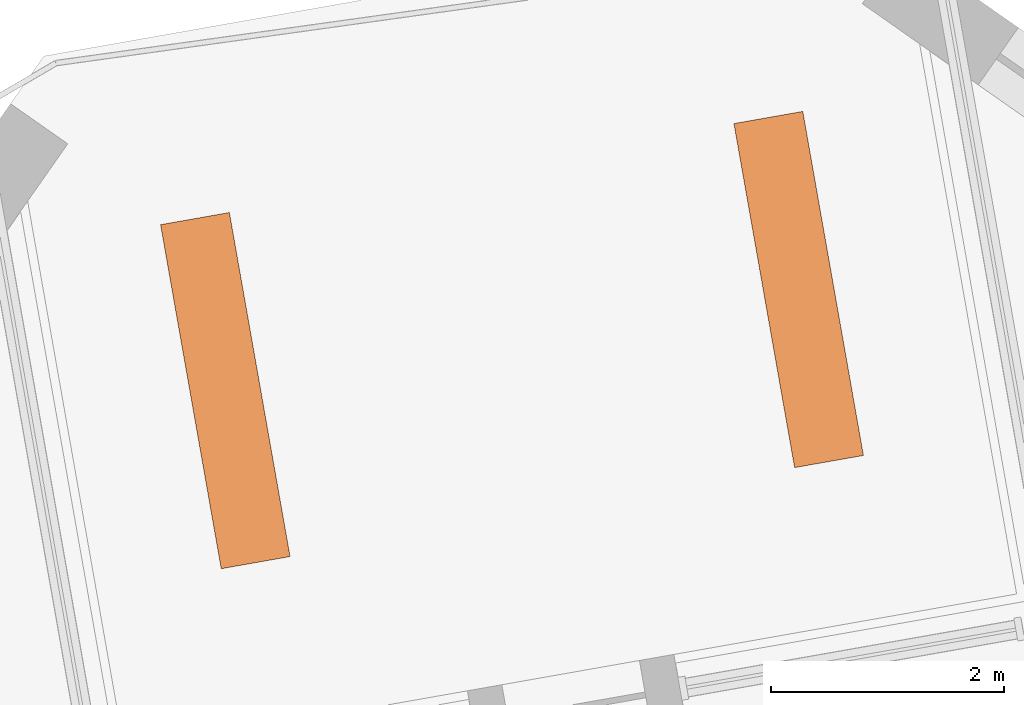
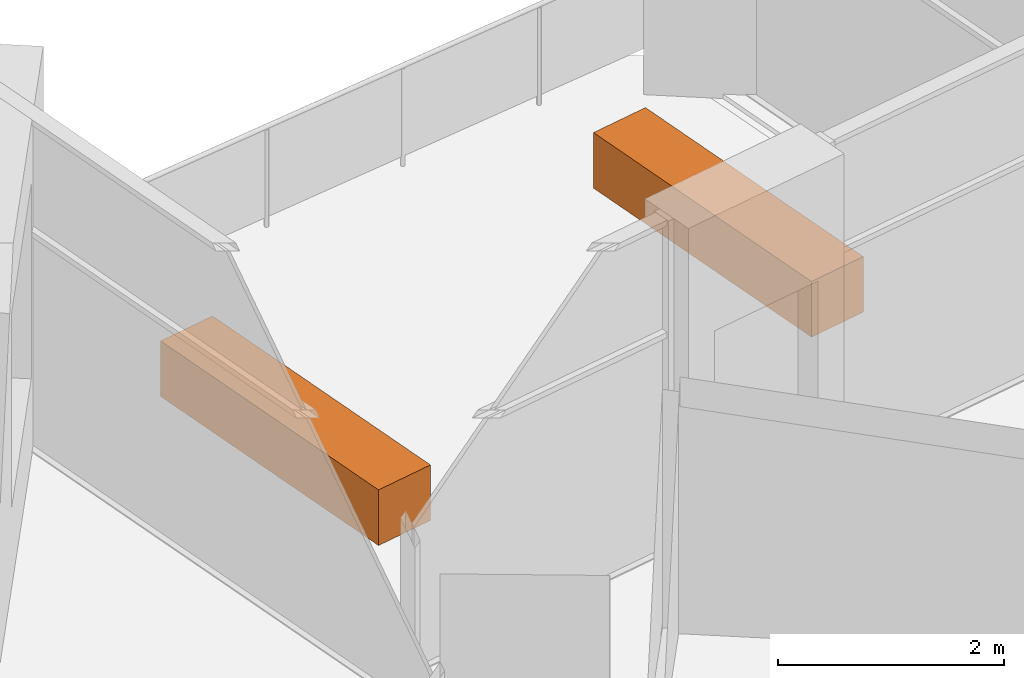
# One storey, part 13 of 13: 2 proxies.
"""IFC4 building model written with IfcOpenShell, lengths in metres."""

import ifcopenshell
import ifcopenshell.guid

model = None  # the IFC model being written
_history = None  # IfcOwnerHistory: only IFC2X3 demands one
_inside = {}  # id of a spatial element -> (the spatial element, [elements in it])
_under = {}  # id of a project, library or spatial element -> (it, [spatial elements below it])
_declared = {}  # id of a project -> (the project, [libraries it declares])
_typed = {}  # id of a type object -> (the type object, [elements of that type])
_made_of = {}  # id of a material, layer set ... -> (it, [elements and type objects made of it])


def new_model(schema):
    """Start an empty IFC model of exactly this schema.

    Asked for "IFC4X3", IfcOpenShell would pick the latest addendum, in which some entities
    have other attributes; the version numbers below select the first issue.
    IFC2X3 requires an IfcOwnerHistory on every rooted entity: one is made here for all.
    """
    global model, _history
    if schema == "IFC4X3":
        model = ifcopenshell.file(schema_version=(4, 3, 0, 0))
    else:
        model = ifcopenshell.file(schema=schema)
    _inside.clear()
    _under.clear()
    _declared.clear()
    _typed.clear()
    _made_of.clear()
    _history = None
    if model.schema == "IFC2X3":
        org = make("IfcOrganization", Name="unknown")
        user = make(
            "IfcPersonAndOrganization",
            ThePerson=make("IfcPerson", FamilyName="unknown"),
            TheOrganization=org,
        )
        app = make(
            "IfcApplication",
            ApplicationDeveloper=org,
            Version="unknown",
            ApplicationFullName="unknown",
            ApplicationIdentifier="unknown",
        )
        _history = make(
            "IfcOwnerHistory",
            OwningUser=user,
            OwningApplication=app,
            ChangeAction="ADDED",
            CreationDate=0,
        )
    return model


def make(cls, **values):
    """One entity of the class cls with the attributes given. An attribute that is None is left unset."""
    return model.create_entity(
        cls, **{name: value for name, value in values.items() if value is not None}
    )


def rooted(cls, **values):
    """An entity with a GlobalId (a new one), such as an element, a storey or a relation."""
    return make(cls, GlobalId=ifcopenshell.guid.new(), OwnerHistory=_history, **values)


def si_unit(unit_type, name, prefix=None):
    """IfcSIUnit, for example si_unit("LENGTHUNIT", "METRE", prefix="MILLI")."""
    return make("IfcSIUnit", UnitType=unit_type, Prefix=prefix, Name=name)


def assignment(units):
    """IfcUnitAssignment: the units of a project."""
    return None if units is None else make("IfcUnitAssignment", Units=units)


def point(xyz):
    """IfcCartesianPoint."""
    return None if xyz is None else make("IfcCartesianPoint", Coordinates=xyz)


def direction(xyz):
    """IfcDirection."""
    return None if xyz is None else make("IfcDirection", DirectionRatios=xyz)


def frame(location, z_axis=None, x_axis=None):
    """IfcAxis2Placement3D, a coordinate frame: its origin and axes. An axis left out is left unset."""
    return make(
        "IfcAxis2Placement3D",
        Location=point(location),
        Axis=direction(z_axis),
        RefDirection=direction(x_axis),
    )


def frame_2d(location, x_axis=None):
    """IfcAxis2Placement2D, a coordinate frame in the plane: its origin and x axis."""
    return make(
        "IfcAxis2Placement2D", Location=point(location), RefDirection=direction(x_axis)
    )


def origin():
    """The frame at (0, 0, 0) with its axes left unset."""
    return frame((0.0, 0.0, 0.0))


def origin_2d():
    """The frame at (0, 0) in the plane with its x axis left unset."""
    return frame_2d((0.0, 0.0))


def place(relative_to, where):
    """IfcLocalPlacement: puts the frame where relative to a parent placement (None: the world)."""
    return make(
        "IfcLocalPlacement", PlacementRelTo=relative_to, RelativePlacement=where
    )


def context(
    kind, dimensions, precision=None, world=None, true_north=None, identifier=None
):
    """IfcGeometricRepresentationContext, for example the 3D "Model" context."""
    return make(
        "IfcGeometricRepresentationContext",
        ContextIdentifier=identifier,
        ContextType=kind,
        CoordinateSpaceDimension=dimensions,
        Precision=precision,
        WorldCoordinateSystem=world,
        TrueNorth=true_north,
    )


def subcontext(parent, identifier, kind, view, scale=None):
    """IfcGeometricRepresentationSubContext, for example "Body" below "Model"."""
    return make(
        "IfcGeometricRepresentationSubContext",
        ContextIdentifier=identifier,
        ContextType=kind,
        ParentContext=parent,
        TargetScale=scale,
        TargetView=view,
    )


def project(units=None, contexts=None):
    """IfcProject with its units and contexts."""
    return rooted(
        "IfcProject",
        Name="project",
        RepresentationContexts=contexts,
        UnitsInContext=assignment(units),
    )


def spatial(cls, under=None, at=None, **own):
    """A site, building, storey or space (cls), placed at a placement, below another one or the project."""
    s = rooted(cls, ObjectPlacement=at, **own)
    if under is not None:
        _under.setdefault(under.id(), (under, []))[1].append(s)
    return s


def profile(cls, at=None, kind="AREA", **sizes):
    """A parametric profile (cls). Its sizes go by their IFC names, for example OverallWidth=200.0."""
    return make(cls, ProfileType=kind, Position=at, **sizes)


def rectangle(**sizes):
    """IfcRectangleProfileDef."""
    return profile("IfcRectangleProfileDef", **sizes)


def extrude(swept, where, along, depth):
    """IfcExtrudedAreaSolid: the profile swept, set in the frame where, extruded along a direction by depth."""
    return make(
        "IfcExtrudedAreaSolid",
        SweptArea=swept,
        Position=where,
        ExtrudedDirection=direction(along),
        Depth=depth,
    )


def shape(context_of_items, identifier, shape_type, items):
    """IfcShapeRepresentation: the items that make up one representation, for example the "Body"."""
    return make(
        "IfcShapeRepresentation",
        ContextOfItems=context_of_items,
        RepresentationIdentifier=identifier,
        RepresentationType=shape_type,
        Items=items,
    )


def made_of(thing, what):
    """Note that an element or type object is made of a material, layer set ...; save() writes the relation."""
    if what is not None:
        _made_of.setdefault(what.id(), (what, []))[1].append(thing)
    return thing


def element(
    cls,
    number,
    at=None,
    inside=None,
    cuts=None,
    type_object=None,
    material=None,
    context=None,
    identifier="Body",
    shape_type=None,
    held_by="IfcProductDefinitionShape",
    body=None,
    shapes=None,
    **own,
):
    """One element of the class cls, such as IfcWall. Its Tag is "e" and its number.

    at: its placement. inside: the storey or other place that contains it. cuts: it is an
    opening in that element (IfcRelVoidsElement). A single representation is given by context,
    identifier, shape_type and body (its items); several are given by shapes. held_by: the class
    of the entity that holds the representations. save() writes the other relations.
    """
    e = rooted(cls, Tag="e%d" % number, ObjectPlacement=at, **own)
    if body is not None:
        shapes = [shape(context, identifier, shape_type, body)]
    if shapes is not None:
        e.Representation = make(held_by, Representations=shapes)
    if inside is not None:
        _inside.setdefault(inside.id(), (inside, []))[1].append(e)
    if cuts is not None:
        rooted(
            "IfcRelVoidsElement", RelatingBuildingElement=cuts, RelatedOpeningElement=e
        )
    if type_object is not None:
        _typed.setdefault(type_object.id(), (type_object, []))[1].append(e)
    return made_of(e, material)


def aggregate(whole, parts):
    """IfcRelAggregates: a whole, such as a stair, and the parts it consists of."""
    return rooted("IfcRelAggregates", RelatingObject=whole, RelatedObjects=parts)


def save(model, path):
    """Write the relations noted so far, then the file.

    IfcRelAggregates (storeys below a building ...), IfcRelContainedInSpatialStructure (elements
    in a storey), IfcRelDefinesByType, IfcRelAssociatesMaterial and IfcRelDeclares: one each for
    every whole, place, type object, material and project.
    """
    for whole, parts in _under.values():
        aggregate(whole, parts)
    for where, things in _inside.values():
        rooted(
            "IfcRelContainedInSpatialStructure",
            RelatedElements=things,
            RelatingStructure=where,
        )
    for kind, things in _typed.values():
        rooted("IfcRelDefinesByType", RelatedObjects=things, RelatingType=kind)
    for what, things in _made_of.values():
        rooted("IfcRelAssociatesMaterial", RelatedObjects=things, RelatingMaterial=what)
    for by, libraries in _declared.values():
        rooted("IfcRelDeclares", RelatingContext=by, RelatedDefinitions=libraries)
    model.write(path)


model = new_model("IFC4")

# Units and contexts
model_context = context("Model", 3, precision=1e-05, world=origin(), true_north=direction((0.0, 1.0)))
body_context = subcontext(model_context, "Body", "Model", "MODEL_VIEW")
ifc_project = project(units=[si_unit("LENGTHUNIT", "METRE"), si_unit("AREAUNIT", "SQUARE_METRE"), si_unit("VOLUMEUNIT", "CUBIC_METRE"), si_unit("PLANEANGLEUNIT", "RADIAN"), si_unit("MASSUNIT", "GRAM", prefix="KILO")], contexts=[model_context])

# Site, building, storey
site_placement = place(None, origin())
site = spatial("IfcSite", under=ifc_project, at=site_placement, CompositionType="ELEMENT")
building_placement = place(site_placement, origin())
building = spatial("IfcBuilding", under=site, at=building_placement, Name="Dilmun Exchange Tower", CompositionType="ELEMENT")
storey_placement = place(building_placement, frame((0.0, 0.0, 250.89990234375)))
storey = spatial("IfcBuildingStorey", under=building, at=storey_placement, Name="L59", CompositionType="ELEMENT", Elevation=250.89990234375)

# Proxies
for number, where, z_axis, x_axis, name in (
    (1, (1.40771484375, 32.067626953125, 0.0), (0.0, 0.0, 1.0), (-0.173648177667, 0.984807753012, 0.0), "PLANTER Date palm L59.1"),
    (2, (-3.516357421875, 31.199462890625, 0.0), (0.0, 0.0, 1.0), (-0.173648177667, 0.984807753012, 0.0), "PLANTER Date palm L59.2"),
):
    element("IfcBuildingElementProxy", number, at=place(storey_placement, frame(where, z_axis=z_axis, x_axis=x_axis)), inside=storey, Name=name, ObjectType="PLANTER", PredefinedType="USERDEFINED", context=body_context, shape_type="SweptSolid", body=[
        extrude(rectangle(XDim=3.0, YDim=0.60009765625, at=origin_2d()), origin(), (0.0, 0.0, 1.0), 0.60009765625),
    ])

save(model, "model.ifc")
